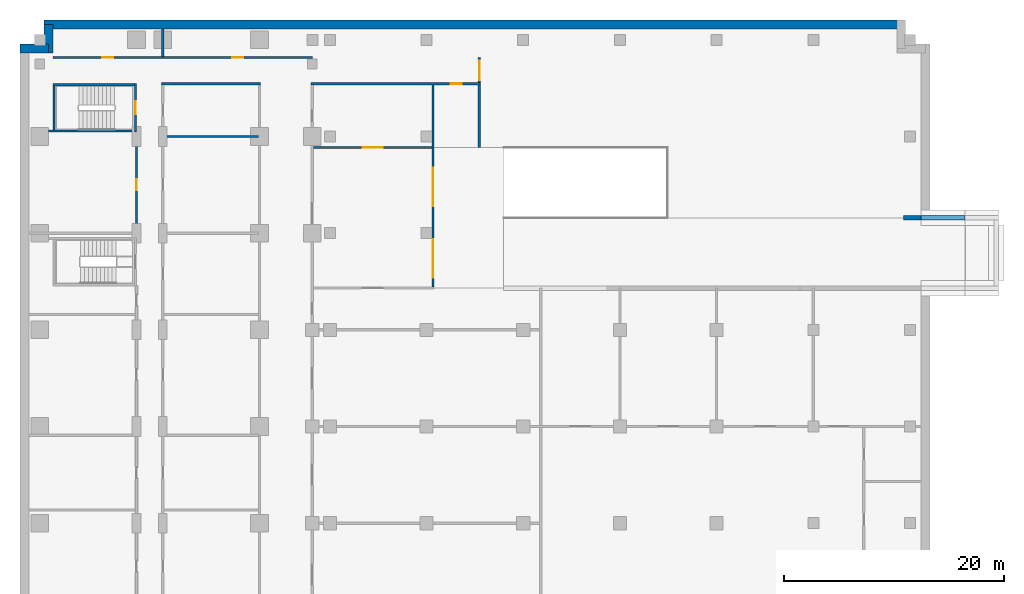
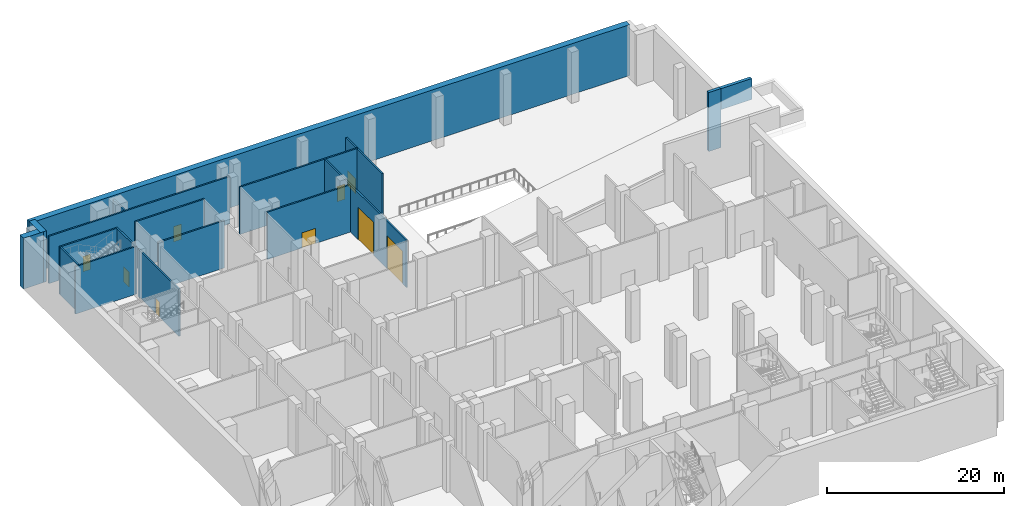
# One storey, part 8 of 15: 19 walls, 9 doors, 9 openings.
"""IFC4 building model written with IfcOpenShell, lengths in metres."""

from ifc_helpers import new_model, si_unit, direction, frame, frame_2d, origin, place, context, subcontext, project, spatial, polyline, rectangle, outline, extrude, material, layer, layer_set, type_object, element, fill, save


model = new_model("IFC4")

# Units and contexts
model_context = context("Model", 3, precision=1e-05, world=origin(), true_north=direction((0.0, 1.0)))
body_context = subcontext(model_context, "Body", "Model", "MODEL_VIEW")
ifc_project = project(units=[si_unit("LENGTHUNIT", "METRE"), si_unit("AREAUNIT", "SQUARE_METRE"), si_unit("VOLUMEUNIT", "CUBIC_METRE"), si_unit("PLANEANGLEUNIT", "RADIAN"), si_unit("MASSUNIT", "GRAM", prefix="KILO")], contexts=[model_context])

# Site, building, storey
site_placement = place(None, origin())
site = spatial("IfcSite", under=ifc_project, at=site_placement, CompositionType="ELEMENT")
building_placement = place(site_placement, origin())
building = spatial("IfcBuilding", under=site, at=building_placement, Name="Kemantara Hotel Tower", CompositionType="ELEMENT")
storey_placement = place(building_placement, frame((0.0, 0.0, -7.0)))
storey = spatial("IfcBuildingStorey", under=building, at=storey_placement, Name="B1", CompositionType="ELEMENT", Elevation=-7.0)

# Walls
ifc_material_1 = material(Name="Concrete fc 40 MPa", Category="concrete")
ifc_layer_1 = layer(ifc_material_1, 0.800048828125)
ifc_layer_set_1 = layer_set([ifc_layer_1], Name="Concrete fc 40 MPa")
wall_type_1 = type_object("IfcWallType", Name="BASEMENT PERIMETER WALL 800 FC40", PredefinedType="SHEAR", material=ifc_layer_set_1)
for number, where, z_axis, x_axis, name in (
    (1, (-0.800048828125, 79.39990234375, 0.0), (0.0, 0.0, 1.0), (1.0, 0.0, 0.0), "BASEMENT PERIMETER WALL B1 8"),
    (2, (1.800048828125, 79.0, 0.0), (0.0, 0.0, 1.0), (0.0, 1.0, 0.0), "BASEMENT PERIMETER WALL B1 9"),
):
    element("IfcWall", number, at=place(storey_placement, frame(where, z_axis=z_axis, x_axis=x_axis)), inside=storey, type_object=wall_type_1, Name=name, PredefinedType="SHEAR", context=body_context, shape_type="SweptSolid", body=[
        extrude(rectangle(XDim=2.60009765625, YDim=0.800048828125, at=frame_2d((1.300048828125, 0.0))), origin(), (0.0, 0.0, 1.0), 7.0),
    ])
wall_1_placement = place(storey_placement, frame((1.39990234375, 81.60009765625, 0.0), z_axis=(0.0, 0.0, 1.0), x_axis=(1.0, 0.0, 0.0)))
element("IfcWall", 3, at=wall_1_placement, inside=storey, type_object=wall_type_1, Name="BASEMENT PERIMETER WALL B1 10", PredefinedType="SHEAR", context=body_context, shape_type="SweptSolid", body=[
    extrude(rectangle(XDim=78.0, YDim=0.800048828125, at=frame_2d((39.0, 0.0))), origin(), (0.0, 0.0, 1.0), 7.0),
])

# Wall, opening, door
ifc_layer_2 = layer(ifc_material_1, 0.199951171875)
ifc_layer_set_2 = layer_set([ifc_layer_2], Name="Concrete fc 40 MPa")
wall_type_2 = type_object("IfcWallType", Name="Concrete stair wall 200 mm", PredefinedType="SHEAR", material=ifc_layer_set_2)
wall_2_placement = place(storey_placement, frame((9.699951171875, 71.800048828125, 0.0), z_axis=(0.0, 0.0, 1.0), x_axis=(0.0, 1.0, 0.0)))
wall_2 = element("IfcWall", 4, at=wall_2_placement, inside=storey, type_object=wall_type_2, Name="Stair ST6 enclosure wall with door", PredefinedType="SHEAR", context=body_context, shape_type="SweptSolid", body=[
    extrude(rectangle(XDim=4.39990234375, YDim=0.199951171875, at=frame_2d((2.199951171875, 0.0))), origin(), (0.0, 0.0, 1.0), 6.550048828125),
])
opening_1_placement = place(wall_2_placement, frame((1.60009765625, 0.0, 0.0)))
opening_1 = element("IfcOpeningElement", 5, at=opening_1_placement, cuts=wall_2, Name="Opening ST6-C", PredefinedType="OPENING", context=body_context, shape_type="SweptSolid", body=[
    extrude(rectangle(XDim=1.199951171875, YDim=2.10009765625, at=frame_2d((0.60009765625, 1.050048828125))), frame((0.0, 0.10986328125, 0.0), z_axis=(0.0, -1.0, 0.0), x_axis=(1.0, 0.0, 0.0)), (0.0, 0.0, 1.0), 0.219970703125),
])
ifc_material_2 = material(Name="Steel fire door", Category="steel")
door_type_1 = type_object("IfcDoorType", Name="Fire door FD90 1200 x 2100", OperationType="NOTDEFINED", PredefinedType="DOOR", material=ifc_material_2)
door_1_placement = place(opening_1_placement, origin())
door_1 = element("IfcDoor", 6, at=door_1_placement, inside=storey, type_object=door_type_1, Name="Stair ST6 door", OperationType="SINGLE_SWING_RIGHT", OverallHeight=2.10009765625, OverallWidth=1.199951171875, PredefinedType="DOOR", context=body_context, shape_type="SweptSolid", body=[
    extrude(rectangle(XDim=1.199951171875, YDim=2.10009765625, at=frame_2d((0.60009765625, 1.050048828125))), frame((0.0, 0.02490234375, 0.0), z_axis=(0.0, -1.0, 0.0), x_axis=(1.0, 0.0, 0.0)), (0.0, 0.0, 1.0), 0.050048828125),
])
fill(opening_1, door_1)

# Walls
wall_3_placement = place(storey_placement, frame((2.199951171875, 76.10009765625, 0.0), z_axis=(0.0, 0.0, 1.0), x_axis=(1.0, 0.0, 0.0)))
element("IfcWall", 7, at=wall_3_placement, inside=storey, type_object=wall_type_2, Name="Stair ST6 enclosure wall N", PredefinedType="SHEAR", context=body_context, shape_type="SweptSolid", body=[
    extrude(rectangle(XDim=7.400146484375, YDim=0.199951171875, at=frame_2d((3.7001953125, 0.0))), origin(), (0.0, 0.0, 1.0), 6.550048828125),
])
wall_4_placement = place(storey_placement, frame((1.800048828125, 71.89990234375, 0.0), z_axis=(0.0, 0.0, 1.0), x_axis=(1.0, 0.0, 0.0)))
element("IfcWall", 8, at=wall_4_placement, inside=storey, type_object=wall_type_2, Name="Stair ST6 enclosure wall S", PredefinedType="SHEAR", context=body_context, shape_type="SweptSolid", body=[
    extrude(rectangle(XDim=7.800048828125, YDim=0.199951171875, at=frame_2d((3.89990234375, 0.0))), origin(), (0.0, 0.0, 1.0), 6.550048828125),
])
wall_5_placement = place(storey_placement, frame((2.300048828125, 72.0, 0.0), z_axis=(0.0, 0.0, 1.0), x_axis=(0.0, 1.0, 0.0)))
element("IfcWall", 9, at=wall_5_placement, inside=storey, type_object=wall_type_2, Name="Stair ST6 enclosure wall W", PredefinedType="SHEAR", context=body_context, shape_type="SweptSolid", body=[
    extrude(rectangle(XDim=4.0, YDim=0.199951171875, at=frame_2d((2.0, 0.0))), origin(), (0.0, 0.0, 1.0), 6.550048828125),
])
ifc_material_3 = material(Name="Clay brick masonry", Category="masonry")
ifc_layer_3 = layer(ifc_material_3, 0.199951171875)
ifc_layer_set_3 = layer_set([ifc_layer_3], Name="Clay brick masonry")
wall_type_3 = type_object("IfcWallType", Name="FIRE-RATED CLAY BRICK WALL 200 EI 120", PredefinedType="PARTITIONING", material=ifc_layer_set_3)
wall_6_placement = place(storey_placement, frame((41.0, 70.39990234375, 0.0), z_axis=(0.0, 0.0, 1.0), x_axis=(0.0, 1.0, 0.0)))
element("IfcWall", 10, at=wall_6_placement, inside=storey, type_object=wall_type_3, Name="FIRE WALL", PredefinedType="PARTITIONING", context=body_context, shape_type="SweptSolid", body=[
    extrude(rectangle(XDim=5.7001953125, YDim=0.199951171875, at=frame_2d((2.85009765625, 0.0))), origin(), (0.0, 0.0, 1.0), 6.5),
])
ifc_material_4 = material(Name="Fire-rated gypsum board partition")
ifc_layer_4 = layer(ifc_material_4, 0.199951171875)
ifc_layer_set_4 = layer_set([ifc_layer_4], Name="Fire-rated gypsum board partition")
wall_type_4 = type_object("IfcWallType", Name="FIRE-RATED GYPSUM PARTITION 200 EI 60", PredefinedType="PARTITIONING", material=ifc_layer_set_4)
wall_7_placement = place(storey_placement, frame((12.10009765625, 76.199951171875, 0.0), z_axis=(0.0, 0.0, 1.0), x_axis=(1.0, 0.0, 0.0)))
element("IfcWall", 11, at=wall_7_placement, inside=storey, type_object=wall_type_4, Name="FIRE-RATED PARTITION", PredefinedType="PARTITIONING", context=body_context, shape_type="SweptSolid", body=[
    extrude(rectangle(XDim=9.0, YDim=0.199951171875, at=frame_2d((4.5, 0.0))), origin(), (0.0, 0.0, 1.0), 6.5),
])

# Wall, opening, door
wall_8_placement = place(storey_placement, frame((25.699951171875, 76.199951171875, 0.0), z_axis=(0.0, 0.0, 1.0), x_axis=(1.0, 0.0, 0.0)))
wall_8 = element("IfcWall", 12, at=wall_8_placement, inside=storey, type_object=wall_type_4, Name="FIRE-RATED PARTITION", PredefinedType="PARTITIONING", context=body_context, shape_type="SweptSolid", body=[
    extrude(rectangle(XDim=15.400146484375, YDim=0.199951171875, at=frame_2d((7.7001953125, 0.0))), origin(), (0.0, 0.0, 1.0), 6.5),
])
opening_2_placement = place(wall_8_placement, frame((12.699951171875, 0.0, 0.0)))
opening_2 = element("IfcOpeningElement", 13, at=opening_2_placement, cuts=wall_8, Name="Opening B1-B023", PredefinedType="OPENING", context=body_context, shape_type="SweptSolid", body=[
    extrude(rectangle(XDim=1.0, YDim=2.10009765625, at=frame_2d((0.5, 1.050048828125))), frame((0.0, 0.10986328125, 0.0), z_axis=(0.0, -1.0, 0.0), x_axis=(1.0, 0.0, 0.0)), (0.0, 0.0, 1.0), 0.219970703125),
])
ifc_material_5 = material(Name="Timber veneer door leaf", Category="wood")
door_type_2 = type_object("IfcDoorType", Name="SINGLE LEAF TIMBER DOOR 1000 X 2100", OperationType="SINGLE_SWING_LEFT", PredefinedType="DOOR", material=ifc_material_5)
door_2_placement = place(opening_2_placement, origin())
door_2 = element("IfcDoor", 14, at=door_2_placement, inside=storey, type_object=door_type_2, Name="SINGLE LEAF TIMBER DOOR", OperationType="SINGLE_SWING_RIGHT", OverallHeight=2.10009765625, OverallWidth=1.0, PredefinedType="DOOR", context=body_context, shape_type="SweptSolid", body=[
    extrude(rectangle(XDim=1.0, YDim=2.10009765625, at=frame_2d((0.5, 1.050048828125))), frame((0.0, 0.02490234375, 0.0), z_axis=(0.0, -1.0, 0.0), x_axis=(1.0, 0.0, 0.0)), (0.0, 0.0, 1.0), 0.050048828125),
])
fill(opening_2, door_2)

# Wall, openings, doors
wall_9_placement = place(storey_placement, frame((2.199951171875, 78.60009765625, 0.0), z_axis=(0.0, 0.0, 1.0), x_axis=(1.0, 0.0, 0.0)))
wall_9 = element("IfcWall", 15, at=wall_9_placement, inside=storey, type_object=wall_type_4, Name="FIRE-RATED PARTITION", PredefinedType="PARTITIONING", context=body_context, shape_type="SweptSolid", body=[
    extrude(rectangle(XDim=23.60009765625, YDim=0.199951171875, at=frame_2d((11.800048828125, 0.0))), origin(), (0.0, 0.0, 1.0), 6.5),
])
opening_3_placement = place(wall_9_placement, frame((4.5, 0.0, 0.0)))
opening_3 = element("IfcOpeningElement", 16, at=opening_3_placement, cuts=wall_9, Name="Opening B1-B017", PredefinedType="OPENING", context=body_context, shape_type="SweptSolid", body=[
    extrude(rectangle(XDim=1.0, YDim=2.10009765625, at=frame_2d((0.5, 1.050048828125))), frame((0.0, 0.10986328125, 0.0), z_axis=(0.0, -1.0, 0.0), x_axis=(1.0, 0.0, 0.0)), (0.0, 0.0, 1.0), 0.219970703125),
])
opening_4_placement = place(wall_9_placement, frame((16.300048828125, 0.0, 0.0)))
opening_4 = element("IfcOpeningElement", 17, at=opening_4_placement, cuts=wall_9, Name="Opening B1-B018", PredefinedType="OPENING", context=body_context, shape_type="SweptSolid", body=[
    extrude(rectangle(XDim=1.0, YDim=2.10009765625, at=frame_2d((0.5, 1.050048828125))), frame((0.0, 0.10986328125, 0.0), z_axis=(0.0, -1.0, 0.0), x_axis=(1.0, 0.0, 0.0)), (0.0, 0.0, 1.0), 0.219970703125),
])
door_3_placement = place(opening_3_placement, frame((1.0, 0.0, 0.0), z_axis=(0.0, 0.0, 1.0), x_axis=(-1.0, 0.0, 0.0)))
door_3 = element("IfcDoor", 18, at=door_3_placement, inside=storey, type_object=door_type_2, Name="SINGLE LEAF TIMBER DOOR", OperationType="SINGLE_SWING_RIGHT", OverallHeight=2.10009765625, OverallWidth=1.0, PredefinedType="DOOR", context=body_context, shape_type="SweptSolid", body=[
    extrude(rectangle(XDim=1.0, YDim=2.10009765625, at=frame_2d((0.5, 1.050048828125))), frame((0.0, 0.02490234375, 0.0), z_axis=(0.0, -1.0, 0.0), x_axis=(1.0, 0.0, 0.0)), (0.0, 0.0, 1.0), 0.050048828125),
])
fill(opening_3, door_3)
door_4_placement = place(opening_4_placement, frame((1.0, 0.0, 0.0), z_axis=(0.0, 0.0, 1.0), x_axis=(-1.0, 0.0, 0.0)))
door_4 = element("IfcDoor", 19, at=door_4_placement, inside=storey, type_object=door_type_2, Name="SINGLE LEAF TIMBER DOOR", OperationType="SINGLE_SWING_LEFT", OverallHeight=2.10009765625, OverallWidth=1.0, PredefinedType="DOOR", context=body_context, shape_type="SweptSolid", body=[
    extrude(rectangle(XDim=1.0, YDim=2.10009765625, at=frame_2d((0.5, 1.050048828125))), frame((0.0, 0.02490234375, 0.0), z_axis=(0.0, -1.0, 0.0), x_axis=(1.0, 0.0, 0.0)), (0.0, 0.0, 1.0), 0.050048828125),
])
fill(opening_4, door_4)

# Wall, opening, door
wall_10_placement = place(storey_placement, frame((9.800048828125, 62.199951171875, 0.0), z_axis=(0.0, 0.0, 1.0), x_axis=(0.0, 1.0, 0.0)))
wall_10 = element("IfcWall", 20, at=wall_10_placement, inside=storey, type_object=wall_type_4, Name="FIRE-RATED PARTITION", PredefinedType="PARTITIONING", context=body_context, shape_type="SweptSolid", body=[
    extrude(rectangle(XDim=9.199951171875, YDim=0.199951171875, at=frame_2d((4.60009765625, 0.0))), origin(), (0.0, 0.0, 1.0), 6.5),
])
opening_5_placement = place(wall_10_placement, frame((4.300048828125, 0.0, 0.0)))
opening_5 = element("IfcOpeningElement", 21, at=opening_5_placement, cuts=wall_10, Name="Opening B1-B008", PredefinedType="OPENING", context=body_context, shape_type="SweptSolid", body=[
    extrude(rectangle(XDim=1.0, YDim=2.10009765625, at=frame_2d((0.5, 1.050048828125))), frame((0.0, 0.10986328125, 0.0), z_axis=(0.0, -1.0, 0.0), x_axis=(1.0, 0.0, 0.0)), (0.0, 0.0, 1.0), 0.219970703125),
])
door_5_placement = place(opening_5_placement, frame((1.0, 0.0, 0.0), z_axis=(0.0, 0.0, 1.0), x_axis=(-1.0, 0.0, 0.0)))
door_5 = element("IfcDoor", 22, at=door_5_placement, inside=storey, type_object=door_type_2, Name="SINGLE LEAF TIMBER DOOR", OperationType="SINGLE_SWING_LEFT", OverallHeight=2.10009765625, OverallWidth=1.0, PredefinedType="DOOR", context=body_context, shape_type="SweptSolid", body=[
    extrude(rectangle(XDim=1.0, YDim=2.10009765625, at=frame_2d((0.5, 1.050048828125))), frame((0.0, 0.02490234375, 0.0), z_axis=(0.0, -1.0, 0.0), x_axis=(1.0, 0.0, 0.0)), (0.0, 0.0, 1.0), 0.050048828125),
])
fill(opening_5, door_5)

wall_11_placement = place(storey_placement, frame((41.0, 76.300048828125, 0.0), z_axis=(0.0, 0.0, 1.0), x_axis=(0.0, 1.0, 0.0)))
wall_11 = element("IfcWall", 23, at=wall_11_placement, inside=storey, type_object=wall_type_4, Name="FIRE-RATED PARTITION", PredefinedType="PARTITIONING", context=body_context, shape_type="SweptSolid", body=[
    extrude(rectangle(XDim=2.300048828125, YDim=0.199951171875, at=frame_2d((1.14990234375, 0.0))), origin(), (0.0, 0.0, 1.0), 6.5),
])
opening_6_placement = place(wall_11_placement, frame((0.199951171875, 0.0, 0.0)))
opening_6 = element("IfcOpeningElement", 24, at=opening_6_placement, cuts=wall_11, Name="Opening B1-B024", PredefinedType="OPENING", context=body_context, shape_type="SweptSolid", body=[
    extrude(rectangle(XDim=1.800048828125, YDim=2.10009765625, at=frame_2d((0.89990234375, 1.050048828125))), frame((0.0, 0.10986328125, 0.0), z_axis=(0.0, -1.0, 0.0), x_axis=(1.0, 0.0, 0.0)), (0.0, 0.0, 1.0), 0.219970703125),
])
ifc_material_6 = material(Name="Galvanised steel door leaf", Category="steel")
door_type_3 = type_object("IfcDoorType", Name="FIRE-RATED STEEL DOOR DOUBLE LEAF 1800 X 2100", OperationType="DOUBLE_DOOR_SINGLE_SWING", PredefinedType="DOOR", material=ifc_material_6)
door_6_placement = place(opening_6_placement, origin())
door_6 = element("IfcDoor", 25, at=door_6_placement, inside=storey, type_object=door_type_3, Name="FIRE-RATED STEEL DOOR DOUBLE LEAF", OperationType="DOUBLE_DOOR_SINGLE_SWING", OverallHeight=2.10009765625, OverallWidth=1.800048828125, PredefinedType="DOOR", context=body_context, shape_type="SweptSolid", body=[
    extrude(rectangle(XDim=1.800048828125, YDim=2.10009765625, at=frame_2d((0.89990234375, 1.050048828125))), frame((0.0, 0.02490234375, 0.0), z_axis=(0.0, -1.0, 0.0), x_axis=(1.0, 0.0, 0.0)), (0.0, 0.0, 1.0), 0.050048828125),
])
fill(opening_6, door_6)

# Wall
ifc_material_7 = material(Name="Gypsum board partition")
ifc_layer_5 = layer(ifc_material_7, 0.199951171875)
ifc_layer_set_5 = layer_set([ifc_layer_5], Name="Gypsum board partition")
wall_type_5 = type_object("IfcWallType", Name="GYPSUM BOARD PARTITION 200", PredefinedType="PARTITIONING", material=ifc_layer_set_5)
wall_12_placement = place(storey_placement, frame((12.300048828125, 71.39990234375, 0.0), z_axis=(0.0, 0.0, 1.0), x_axis=(1.0, 0.0, 0.0)))
element("IfcWall", 26, at=wall_12_placement, inside=storey, type_object=wall_type_5, Name="PARTITION", PredefinedType="PARTITIONING", context=body_context, shape_type="SweptSolid", body=[
    extrude(rectangle(XDim=8.599853515625, YDim=0.199951171875, at=frame_2d((4.2998046875, 0.0))), origin(), (0.0, 0.0, 1.0), 6.5),
])

# Wall, opening, door
wall_13_placement = place(storey_placement, frame((25.89990234375, 70.39990234375, 0.0), z_axis=(0.0, 0.0, 1.0), x_axis=(1.0, 0.0, 0.0)))
wall_13 = element("IfcWall", 27, at=wall_13_placement, inside=storey, type_object=wall_type_5, Name="PARTITION", PredefinedType="PARTITIONING", context=body_context, shape_type="SweptSolid", body=[
    extrude(rectangle(XDim=10.800048828125, YDim=0.199951171875, at=frame_2d((5.39990234375, 0.0))), origin(), (0.0, 0.0, 1.0), 6.5),
])
opening_7_placement = place(wall_13_placement, frame((4.5, 0.0, 0.0)))
opening_7 = element("IfcOpeningElement", 28, at=opening_7_placement, cuts=wall_13, Name="Opening B1-B046", PredefinedType="OPENING", context=body_context, shape_type="SweptSolid", body=[
    extrude(rectangle(XDim=1.800048828125, YDim=2.10009765625, at=frame_2d((0.89990234375, 1.050048828125))), frame((0.0, 0.10986328125, 0.0), z_axis=(0.0, -1.0, 0.0), x_axis=(1.0, 0.0, 0.0)), (0.0, 0.0, 1.0), 0.219970703125),
])
door_type_4 = type_object("IfcDoorType", Name="DOUBLE LEAF TIMBER DOOR 1800 X 2100", OperationType="DOUBLE_DOOR_SINGLE_SWING", PredefinedType="DOOR", material=ifc_material_5)
door_7_placement = place(opening_7_placement, origin())
door_7 = element("IfcDoor", 29, at=door_7_placement, inside=storey, type_object=door_type_4, Name="DOUBLE LEAF TIMBER DOOR", OperationType="DOUBLE_DOOR_SINGLE_SWING", OverallHeight=2.10009765625, OverallWidth=1.800048828125, PredefinedType="DOOR", context=body_context, shape_type="SweptSolid", body=[
    extrude(rectangle(XDim=1.800048828125, YDim=2.10009765625, at=frame_2d((0.89990234375, 1.050048828125))), frame((0.0, 0.02490234375, 0.0), z_axis=(0.0, -1.0, 0.0), x_axis=(1.0, 0.0, 0.0)), (0.0, 0.0, 1.0), 0.050048828125),
])
fill(opening_7, door_7)

# Wall
wall_14_placement = place(storey_placement, frame((12.199951171875, 78.699951171875, 0.0), z_axis=(0.0, 0.0, 1.0), x_axis=(0.0, 1.0, 0.0)))
element("IfcWall", 30, at=wall_14_placement, inside=storey, type_object=wall_type_5, Name="PARTITION", PredefinedType="PARTITIONING", context=body_context, shape_type="SweptSolid", body=[
    extrude(rectangle(XDim=2.5, YDim=0.199951171875, at=frame_2d((1.25, 0.0))), origin(), (0.0, 0.0, 1.0), 6.5),
])

# Wall, openings, doors
wall_15_placement = place(storey_placement, frame((36.800048828125, 57.699951171875, 0.0), z_axis=(0.0, 0.0, 1.0), x_axis=(0.0, 1.0, 0.0)))
wall_15 = element("IfcWall", 31, at=wall_15_placement, inside=storey, type_object=wall_type_5, Name="PARTITION", PredefinedType="PARTITIONING", context=body_context, shape_type="SweptSolid", body=[
    extrude(rectangle(XDim=18.400146484375, YDim=0.199951171875, at=frame_2d((9.2001953125, 0.0))), origin(), (0.0, 0.0, 1.0), 6.5),
])
opening_8_placement = place(wall_15_placement, frame((0.85009765625, 0.0, 0.0)))
opening_8 = element("IfcOpeningElement", 32, at=opening_8_placement, cuts=wall_15, Name="Opening B1-B047", PredefinedType="OPENING", context=body_context, shape_type="SweptSolid", body=[
    extrude(rectangle(XDim=3.5, YDim=4.5, at=frame_2d((1.75, 2.25))), frame((0.0, 0.10986328125, 0.0), z_axis=(0.0, -1.0, 0.0), x_axis=(1.0, 0.0, 0.0)), (0.0, 0.0, 1.0), 0.219970703125),
])
opening_9_placement = place(wall_15_placement, frame((7.35009765625, 0.0, 0.0)))
opening_9 = element("IfcOpeningElement", 33, at=opening_9_placement, cuts=wall_15, Name="Opening B1-B048", PredefinedType="OPENING", context=body_context, shape_type="SweptSolid", body=[
    extrude(rectangle(XDim=3.5, YDim=4.5, at=frame_2d((1.75, 2.25))), frame((0.0, 0.10986328125, 0.0), z_axis=(0.0, -1.0, 0.0), x_axis=(1.0, 0.0, 0.0)), (0.0, 0.0, 1.0), 0.219970703125),
])
ifc_material_8 = material(Name="Galvanised steel roller shutter", Category="steel")
door_type_5 = type_object("IfcDoorType", Name="ROLLER SHUTTER 3500 X 4500", OperationType="ROLLINGUP", PredefinedType="DOOR", material=ifc_material_8)
door_8_placement = place(opening_8_placement, origin())
door_8 = element("IfcDoor", 34, at=door_8_placement, inside=storey, type_object=door_type_5, Name="ENTRANCE DOOR", OperationType="ROLLINGUP", OverallHeight=4.5, OverallWidth=3.5, PredefinedType="DOOR", context=body_context, shape_type="SweptSolid", body=[
    extrude(rectangle(XDim=3.5, YDim=4.5, at=frame_2d((1.75, 2.25))), frame((0.0, 0.02490234375, 0.0), z_axis=(0.0, -1.0, 0.0), x_axis=(1.0, 0.0, 0.0)), (0.0, 0.0, 1.0), 0.050048828125),
])
fill(opening_8, door_8)
door_9_placement = place(opening_9_placement, origin())
door_9 = element("IfcDoor", 35, at=door_9_placement, inside=storey, type_object=door_type_5, Name="ENTRANCE DOOR", OperationType="ROLLINGUP", OverallHeight=4.5, OverallWidth=3.5, PredefinedType="DOOR", context=body_context, shape_type="SweptSolid", body=[
    extrude(rectangle(XDim=3.5, YDim=4.5, at=frame_2d((1.75, 2.25))), frame((0.0, 0.02490234375, 0.0), z_axis=(0.0, -1.0, 0.0), x_axis=(1.0, 0.0, 0.0)), (0.0, 0.0, 1.0), 0.050048828125),
])
fill(opening_9, door_9)

# Walls
ifc_layer_6 = layer(ifc_material_1, 0.39990234375)
ifc_layer_set_6 = layer_set([ifc_layer_6], Name="Concrete fc 40 MPa")
wall_type_6 = type_object("IfcWallType", Name="RAMP WALL 400 FC40", PredefinedType="SHEAR", material=ifc_layer_set_6)
wall_16_placement = place(storey_placement, frame((79.60009765625, 64.0, 0.0), z_axis=(0.0, 0.0, 1.0), x_axis=(1.0, 0.0, 0.0)))
element("IfcWall", 36, at=wall_16_placement, inside=storey, type_object=wall_type_6, Name="RAMP RETAINING WALL R1 NORTH", PredefinedType="SHEAR", context=body_context, shape_type="SweptSolid", body=[
    extrude(outline(polyline([(0.0, 0.0), (1.599853515625, 0.0), (1.60009765625, 8.10009765625), (0.800048828125, 8.10009765625), (0.0, 8.10009765625), (0.0, 0.0)])), frame((0.0, 0.199951171875, 0.0), z_axis=(0.0, -1.0, 0.0), x_axis=(1.0, 0.0, 0.0)), (0.0, 0.0, 1.0), 0.39990234375),
])
wall_17_placement = place(storey_placement, frame((81.199951171875, 64.0, 5.199951171875), z_axis=(0.0, 0.0, 1.0), x_axis=(1.0, 0.0, 0.0)))
element("IfcWall", 37, at=wall_17_placement, inside=storey, type_object=wall_type_6, Name="RAMP RETAINING WALL R1 NORTH BEYOND THE BASEMENT", PredefinedType="SHEAR", context=body_context, shape_type="SweptSolid", body=[
    extrude(outline(polyline([(0.0, 0.0), (4.0, 0.0), (4.0, 2.900146484375), (2.0, 2.900146484375), (0.0, 2.900146484375), (0.0, 0.0)])), frame((0.0, 0.199951171875, 0.0), z_axis=(0.0, -1.0, 0.0), x_axis=(1.0, 0.0, 0.0)), (0.0, 0.0, 1.0), 0.39990234375),
])

save(model, "model.ifc")
